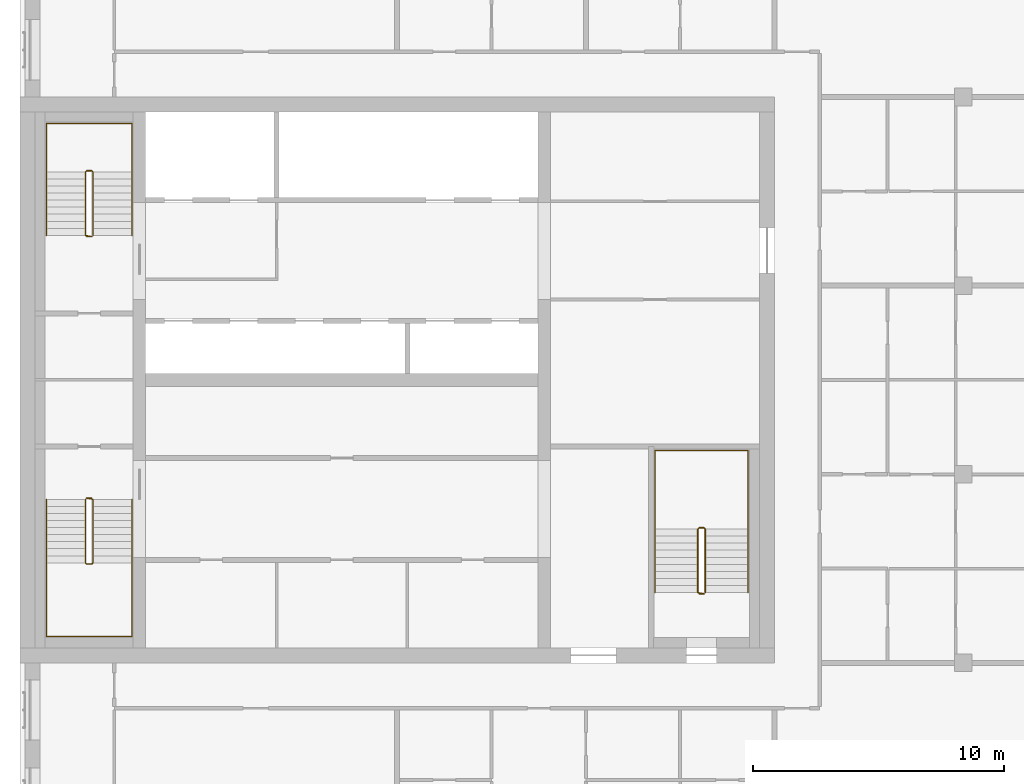
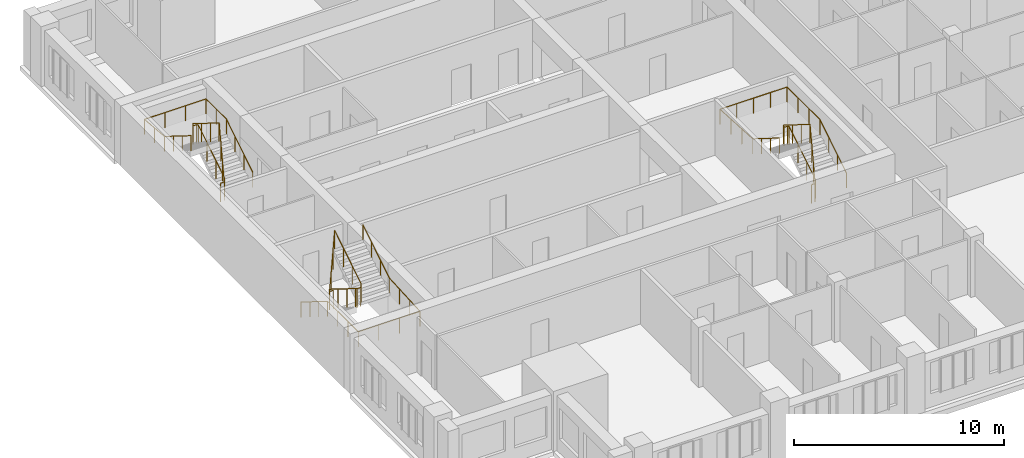
# One storey, part 10 of 10: 6 railings.
"""IFC4 building model written with IfcOpenShell, lengths in metres."""

from ifc_helpers import new_model, si_unit, direction, frame, origin, origin_2d, place, context, subcontext, project, spatial, circle, extrude, material, type_object, element, save


model = new_model("IFC4")

# Units and contexts
model_context = context("Model", 3, precision=1e-05, world=origin(), true_north=direction((0.0, 1.0)))
body_context = subcontext(model_context, "Body", "Model", "MODEL_VIEW")
ifc_project = project(units=[si_unit("LENGTHUNIT", "METRE"), si_unit("AREAUNIT", "SQUARE_METRE"), si_unit("VOLUMEUNIT", "CUBIC_METRE"), si_unit("PLANEANGLEUNIT", "RADIAN"), si_unit("MASSUNIT", "GRAM", prefix="KILO")], contexts=[model_context])

# Site, building, storey
site_placement = place(None, origin())
site = spatial("IfcSite", under=ifc_project, at=site_placement, CompositionType="ELEMENT")
building_placement = place(site_placement, origin())
building = spatial("IfcBuilding", under=site, at=building_placement, Name="Tamorin Gate", CompositionType="ELEMENT")
storey_placement = place(building_placement, frame((0.0, 0.0, 283.699951171875)))
storey = spatial("IfcBuildingStorey", under=building, at=storey_placement, Name="L71", CompositionType="ELEMENT", Elevation=283.699951171875)

# Railings
ifc_material_1 = material(Name="Painted steel balustrade", Category="steel")
railing_type_1 = type_object("IfcRailingType", Name="Stair guard 1100", PredefinedType="GUARDRAIL", material=ifc_material_1)
railing_1_placement = place(storey_placement, frame((32.60009765625, 66.5, 0.175048828125)))
element("IfcRailing", 1, at=railing_1_placement, inside=storey, type_object=railing_type_1, Name="L71 ST1 stair guard 1", PredefinedType="GUARDRAIL", context=body_context, shape_type="SweptSolid", body=[
    extrude(circle(Radius=0.02392578125, at=origin_2d()), frame((0.0, 0.0, 1.076171875), z_axis=(0.0, -0.848007534815, 0.529984170421), x_axis=(1.0, 0.0, 0.0)), (0.0, 0.0, 1.0), 2.9716796875),
    extrude(circle(Radius=0.02392578125, at=origin_2d()), frame((0.0, -2.52001953125, 2.65087890625), z_axis=(0.705375805398, -0.708833529934, 0.0), x_axis=(0.708833529934, 0.705375805398, 0.0)), (0.0, 0.0, 1.0), 0.070556640625),
    extrude(circle(Radius=0.02392578125, at=origin_2d()), frame((0.0498046875, -2.570068359375, 2.65087890625), z_axis=(1.0, 0.0, 0.0), x_axis=(0.0, 1.0, 0.0)), (0.0, 0.0, 1.0), 0.2001953125),
    extrude(circle(Radius=0.02392578125, at=origin_2d()), frame((0.25, -2.570068359375, 2.65087890625), z_axis=(0.263862480399, 0.265155923931, 0.927399011991), x_axis=(-0.708833529934, 0.705375805398, 0.0)), (0.0, 0.0, 1.0), 0.188720703125),
    extrude(circle(Radius=0.02392578125, at=origin_2d()), frame((0.2998046875, -2.52001953125, 2.826171875), z_axis=(0.0, 0.848007534815, 0.529984170421), x_axis=(-1.0, 0.0, 0.0)), (0.0, 0.0, 1.0), 2.9716796875),
    extrude(circle(Radius=0.02392578125, at=origin_2d()), frame((0.2998046875, 0.0, 4.40087890625), z_axis=(-0.071239803756, 0.014261874775, -0.997357252587), x_axis=(-0.196300278283, -0.98054382908, 0.0)), (0.0, 0.0, 1.0), 3.50927734375),
    extrude(circle(Radius=0.02392578125, at=origin_2d()), frame((0.0498046875, 0.050048828125, 0.90087890625), z_axis=(1.0, 0.0, 0.0), x_axis=(0.0, 1.0, 0.0)), (0.0, 0.0, 1.0), 0.2001953125),
    extrude(circle(Radius=0.02099609375, at=origin_2d()), origin(), (0.0, 0.0, 1.0), 1.052001953125),
    extrude(circle(Radius=0.02099609375, at=origin_2d()), frame((0.0, -0.840087890625, 0.52490234375)), (0.0, 0.0, 1.0), 1.052001953125),
    extrude(circle(Radius=0.02099609375, at=origin_2d()), frame((0.0, -1.679931640625, 1.050048828125)), (0.0, 0.0, 1.0), 1.052001953125),
    extrude(circle(Radius=0.02099609375, at=origin_2d()), frame((0.0, -2.52001953125, 1.574951171875)), (0.0, 0.0, 1.0), 1.052001953125),
    extrude(circle(Radius=0.02099609375, at=origin_2d()), frame((0.0498046875, -2.570068359375, 1.574951171875)), (0.0, 0.0, 1.0), 1.052001953125),
    extrude(circle(Radius=0.02099609375, at=origin_2d()), frame((0.25, -2.570068359375, 1.574951171875)), (0.0, 0.0, 1.0), 1.052001953125),
    extrude(circle(Radius=0.02099609375, at=origin_2d()), frame((0.2998046875, -2.52001953125, 1.75)), (0.0, 0.0, 1.0), 1.052001953125),
    extrude(circle(Radius=0.02099609375, at=origin_2d()), frame((0.2998046875, -1.679931640625, 2.27490234375)), (0.0, 0.0, 1.0), 1.052001953125),
    extrude(circle(Radius=0.02099609375, at=origin_2d()), frame((0.2998046875, -0.840087890625, 2.800048828125)), (0.0, 0.0, 1.0), 1.052001953125),
    extrude(circle(Radius=0.02099609375, at=origin_2d()), frame((0.2998046875, 0.0, 3.324951171875)), (0.0, 0.0, 1.0), 1.052001953125),
    extrude(circle(Radius=0.02099609375, at=origin_2d()), frame((0.216552734375, 0.0166015625, 2.158203125)), (0.0, 0.0, 1.0), 1.052001953125),
    extrude(circle(Radius=0.02099609375, at=origin_2d()), frame((0.133056640625, 0.033447265625, 0.99169921875)), (0.0, 0.0, 1.0), 1.052001953125),
    extrude(circle(Radius=0.02099609375, at=origin_2d()), frame((0.0498046875, 0.050048828125, -0.175048828125)), (0.0, 0.0, 1.0), 1.052001953125),
    extrude(circle(Radius=0.02099609375, at=origin_2d()), frame((0.25, 0.050048828125, -0.175048828125)), (0.0, 0.0, 1.0), 1.052001953125),
])
railing_2_placement = place(storey_placement, frame((32.89990234375, 77.0, 0.175048828125)))
element("IfcRailing", 2, at=railing_2_placement, inside=storey, type_object=railing_type_1, Name="L71 ST2 stair guard 1", PredefinedType="GUARDRAIL", context=body_context, shape_type="SweptSolid", body=[
    extrude(circle(Radius=0.02392578125, at=origin_2d()), frame((0.0, 0.0, 1.076171875), z_axis=(0.0, 0.848007534815, 0.529984170421), x_axis=(-1.0, 0.0, 0.0)), (0.0, 0.0, 1.0), 2.9716796875),
    extrude(circle(Radius=0.02392578125, at=origin_2d()), frame((0.0, 2.52001953125, 2.65087890625), z_axis=(-0.705375805398, 0.708833529934, 0.0), x_axis=(-0.708833529934, -0.705375805398, 0.0)), (0.0, 0.0, 1.0), 0.070556640625),
    extrude(circle(Radius=0.02392578125, at=origin_2d()), frame((-0.0498046875, 2.570068359375, 2.65087890625), z_axis=(-1.0, 0.0, 0.0), x_axis=(0.0, -1.0, 0.0)), (0.0, 0.0, 1.0), 0.2001953125),
    extrude(circle(Radius=0.02392578125, at=origin_2d()), frame((-0.25, 2.570068359375, 2.65087890625), z_axis=(-0.263862480399, -0.265155923931, 0.927399011991), x_axis=(0.708833529934, -0.705375805398, 0.0)), (0.0, 0.0, 1.0), 0.188720703125),
    extrude(circle(Radius=0.02392578125, at=origin_2d()), frame((-0.2998046875, 2.52001953125, 2.826171875), z_axis=(0.0, -0.848007534815, 0.529984170421), x_axis=(1.0, 0.0, 0.0)), (0.0, 0.0, 1.0), 2.9716796875),
    extrude(circle(Radius=0.02392578125, at=origin_2d()), frame((-0.2998046875, 0.0, 4.40087890625), z_axis=(0.071239803756, -0.014261874775, -0.997357252587), x_axis=(0.196300278283, 0.98054382908, 0.0)), (0.0, 0.0, 1.0), 3.50927734375),
    extrude(circle(Radius=0.02392578125, at=origin_2d()), frame((-0.0498046875, -0.050048828125, 0.90087890625), z_axis=(-1.0, 0.0, 0.0), x_axis=(0.0, -1.0, 0.0)), (0.0, 0.0, 1.0), 0.2001953125),
    extrude(circle(Radius=0.02099609375, at=origin_2d()), origin(), (0.0, 0.0, 1.0), 1.052001953125),
    extrude(circle(Radius=0.02099609375, at=origin_2d()), frame((0.0, 0.840087890625, 0.52490234375)), (0.0, 0.0, 1.0), 1.052001953125),
    extrude(circle(Radius=0.02099609375, at=origin_2d()), frame((0.0, 1.679931640625, 1.050048828125)), (0.0, 0.0, 1.0), 1.052001953125),
    extrude(circle(Radius=0.02099609375, at=origin_2d()), frame((0.0, 2.52001953125, 1.574951171875)), (0.0, 0.0, 1.0), 1.052001953125),
    extrude(circle(Radius=0.02099609375, at=origin_2d()), frame((-0.0498046875, 2.570068359375, 1.574951171875)), (0.0, 0.0, 1.0), 1.052001953125),
    extrude(circle(Radius=0.02099609375, at=origin_2d()), frame((-0.25, 2.570068359375, 1.574951171875)), (0.0, 0.0, 1.0), 1.052001953125),
    extrude(circle(Radius=0.02099609375, at=origin_2d()), frame((-0.2998046875, 2.52001953125, 1.75)), (0.0, 0.0, 1.0), 1.052001953125),
    extrude(circle(Radius=0.02099609375, at=origin_2d()), frame((-0.2998046875, 1.679931640625, 2.27490234375)), (0.0, 0.0, 1.0), 1.052001953125),
    extrude(circle(Radius=0.02099609375, at=origin_2d()), frame((-0.2998046875, 0.840087890625, 2.800048828125)), (0.0, 0.0, 1.0), 1.052001953125),
    extrude(circle(Radius=0.02099609375, at=origin_2d()), frame((-0.2998046875, 0.0, 3.324951171875)), (0.0, 0.0, 1.0), 1.052001953125),
    extrude(circle(Radius=0.02099609375, at=origin_2d()), frame((-0.216552734375, -0.0166015625, 2.158203125)), (0.0, 0.0, 1.0), 1.052001953125),
    extrude(circle(Radius=0.02099609375, at=origin_2d()), frame((-0.133056640625, -0.033447265625, 0.99169921875)), (0.0, 0.0, 1.0), 1.052001953125),
    extrude(circle(Radius=0.02099609375, at=origin_2d()), frame((-0.0498046875, -0.050048828125, -0.175048828125)), (0.0, 0.0, 1.0), 1.052001953125),
    extrude(circle(Radius=0.02099609375, at=origin_2d()), frame((-0.25, -0.050048828125, -0.175048828125)), (0.0, 0.0, 1.0), 1.052001953125),
])
railing_3_placement = place(storey_placement, frame((57.25, 62.800048828125, 0.175048828125)))
element("IfcRailing", 3, at=railing_3_placement, inside=storey, type_object=railing_type_1, Name="L71 ST3 stair guard 1", PredefinedType="GUARDRAIL", context=body_context, shape_type="SweptSolid", body=[
    extrude(circle(Radius=0.02392578125, at=origin_2d()), frame((0.0, 0.0, 1.076171875), z_axis=(0.0, 0.848007534815, 0.529984170421), x_axis=(-1.0, 0.0, 0.0)), (0.0, 0.0, 1.0), 2.9716796875),
    extrude(circle(Radius=0.02392578125, at=origin_2d()), frame((0.0, 2.52001953125, 2.65087890625), z_axis=(-0.707106781187, 0.707106781187, 0.0), x_axis=(-0.707106781187, -0.707106781187, 0.0)), (0.0, 0.0, 1.0), 0.07080078125),
    extrude(circle(Radius=0.02392578125, at=origin_2d()), frame((-0.050048828125, 2.570068359375, 2.65087890625), z_axis=(-1.0, 0.0, 0.0), x_axis=(0.0, -1.0, 0.0)), (0.0, 0.0, 1.0), 0.199951171875),
    extrude(circle(Radius=0.02392578125, at=origin_2d()), frame((-0.25, 2.570068359375, 2.65087890625), z_axis=(-0.265065253269, -0.265065253269, 0.927081885822), x_axis=(0.707106781187, -0.707106781187, 0.0)), (0.0, 0.0, 1.0), 0.188720703125),
    extrude(circle(Radius=0.02392578125, at=origin_2d()), frame((-0.300048828125, 2.52001953125, 2.826171875), z_axis=(0.0, -0.848007534815, 0.529984170421), x_axis=(1.0, 0.0, 0.0)), (0.0, 0.0, 1.0), 2.9716796875),
    extrude(circle(Radius=0.02392578125, at=origin_2d()), frame((-0.300048828125, 0.0, 4.40087890625), z_axis=(0.071239803756, -0.014261874775, -0.997357252587), x_axis=(0.196300278283, 0.98054382908, 0.0)), (0.0, 0.0, 1.0), 3.50927734375),
    extrude(circle(Radius=0.02392578125, at=origin_2d()), frame((-0.050048828125, -0.050048828125, 0.90087890625), z_axis=(-1.0, 0.0, 0.0), x_axis=(0.0, -1.0, 0.0)), (0.0, 0.0, 1.0), 0.199951171875),
    extrude(circle(Radius=0.02099609375, at=origin_2d()), origin(), (0.0, 0.0, 1.0), 1.052001953125),
    extrude(circle(Radius=0.02099609375, at=origin_2d()), frame((0.0, 0.840087890625, 0.52490234375)), (0.0, 0.0, 1.0), 1.052001953125),
    extrude(circle(Radius=0.02099609375, at=origin_2d()), frame((0.0, 1.679931640625, 1.050048828125)), (0.0, 0.0, 1.0), 1.052001953125),
    extrude(circle(Radius=0.02099609375, at=origin_2d()), frame((0.0, 2.52001953125, 1.574951171875)), (0.0, 0.0, 1.0), 1.052001953125),
    extrude(circle(Radius=0.02099609375, at=origin_2d()), frame((-0.050048828125, 2.570068359375, 1.574951171875)), (0.0, 0.0, 1.0), 1.052001953125),
    extrude(circle(Radius=0.02099609375, at=origin_2d()), frame((-0.25, 2.570068359375, 1.574951171875)), (0.0, 0.0, 1.0), 1.052001953125),
    extrude(circle(Radius=0.02099609375, at=origin_2d()), frame((-0.300048828125, 2.52001953125, 1.75)), (0.0, 0.0, 1.0), 1.052001953125),
    extrude(circle(Radius=0.02099609375, at=origin_2d()), frame((-0.300048828125, 1.679931640625, 2.27490234375)), (0.0, 0.0, 1.0), 1.052001953125),
    extrude(circle(Radius=0.02099609375, at=origin_2d()), frame((-0.300048828125, 0.840087890625, 2.800048828125)), (0.0, 0.0, 1.0), 1.052001953125),
    extrude(circle(Radius=0.02099609375, at=origin_2d()), frame((-0.300048828125, 0.0, 3.324951171875)), (0.0, 0.0, 1.0), 1.052001953125),
    extrude(circle(Radius=0.02099609375, at=origin_2d()), frame((-0.216796875, -0.0166015625, 2.158203125)), (0.0, 0.0, 1.0), 1.052001953125),
    extrude(circle(Radius=0.02099609375, at=origin_2d()), frame((-0.13330078125, -0.033447265625, 0.99169921875)), (0.0, 0.0, 1.0), 1.052001953125),
    extrude(circle(Radius=0.02099609375, at=origin_2d()), frame((-0.050048828125, -0.050048828125, -0.175048828125)), (0.0, 0.0, 1.0), 1.052001953125),
    extrude(circle(Radius=0.02099609375, at=origin_2d()), frame((-0.25, -0.050048828125, -0.175048828125)), (0.0, 0.0, 1.0), 1.052001953125),
])
ifc_material_2 = material(Name="Painted steel handrail", Category="steel")
railing_type_2 = type_object("IfcRailingType", Name="Stair handrail 900", PredefinedType="HANDRAIL", material=ifc_material_2)
railing_4_placement = place(storey_placement, frame((31.050048828125, 66.5, 0.175048828125)))
element("IfcRailing", 4, at=railing_4_placement, inside=storey, type_object=railing_type_2, Name="L71 ST1 stair handrail 1", PredefinedType="HANDRAIL", context=body_context, shape_type="SweptSolid", body=[
    extrude(circle(Radius=0.02392578125, at=origin_2d()), frame((0.0, 0.0, 0.8759765625), z_axis=(0.0, -0.848007534815, 0.529984170421), x_axis=(1.0, 0.0, 0.0)), (0.0, 0.0, 1.0), 2.9716796875),
    extrude(circle(Radius=0.02392578125, at=origin_2d()), frame((0.0, -2.52001953125, 2.45068359375), z_axis=(0.0, -1.0, 0.0), x_axis=(1.0, 0.0, 0.0)), (0.0, 0.0, 1.0), 2.929931640625),
    extrude(circle(Radius=0.02392578125, at=origin_2d()), frame((0.0, -5.449951171875, 2.45068359375), z_axis=(1.0, 0.0, 0.0), x_axis=(0.0, 1.0, 0.0)), (0.0, 0.0, 1.0), 3.39990234375),
    extrude(circle(Radius=0.02392578125, at=origin_2d()), frame((3.39990234375, -5.449951171875, 2.45068359375), z_axis=(0.0, 0.998220029962, 0.0596386769), x_axis=(-1.0, 0.0, 0.0)), (0.0, 0.0, 1.0), 2.93505859375),
    extrude(circle(Radius=0.02392578125, at=origin_2d()), frame((3.39990234375, -2.52001953125, 2.6259765625), z_axis=(0.0, 0.848007534815, 0.529984170421), x_axis=(-1.0, 0.0, 0.0)), (0.0, 0.0, 1.0), 2.9716796875),
    extrude(circle(Radius=0.02099609375, at=origin_2d()), origin(), (0.0, 0.0, 1.0), 0.851806640625),
    extrude(circle(Radius=0.02099609375, at=origin_2d()), frame((0.0, -0.840087890625, 0.52490234375)), (0.0, 0.0, 1.0), 0.851806640625),
    extrude(circle(Radius=0.02099609375, at=origin_2d()), frame((0.0, -1.679931640625, 1.050048828125)), (0.0, 0.0, 1.0), 0.851806640625),
    extrude(circle(Radius=0.02099609375, at=origin_2d()), frame((0.0, -2.52001953125, 1.574951171875)), (0.0, 0.0, 1.0), 0.851806640625),
    extrude(circle(Radius=0.02099609375, at=origin_2d()), frame((0.0, -3.49658203125, 1.574951171875)), (0.0, 0.0, 1.0), 0.851806640625),
    extrude(circle(Radius=0.02099609375, at=origin_2d()), frame((0.0, -4.473388671875, 1.574951171875)), (0.0, 0.0, 1.0), 0.851806640625),
    extrude(circle(Radius=0.02099609375, at=origin_2d()), frame((0.0, -5.449951171875, 1.574951171875)), (0.0, 0.0, 1.0), 0.851806640625),
    extrude(circle(Radius=0.02099609375, at=origin_2d()), frame((1.13330078125, -5.449951171875, 1.574951171875)), (0.0, 0.0, 1.0), 0.851806640625),
    extrude(circle(Radius=0.02099609375, at=origin_2d()), frame((2.2666015625, -5.449951171875, 1.574951171875)), (0.0, 0.0, 1.0), 0.851806640625),
    extrude(circle(Radius=0.02099609375, at=origin_2d()), frame((3.39990234375, -5.449951171875, 1.574951171875)), (0.0, 0.0, 1.0), 0.851806640625),
    extrude(circle(Radius=0.02099609375, at=origin_2d()), frame((3.39990234375, -4.473388671875, 1.63330078125)), (0.0, 0.0, 1.0), 0.851806640625),
    extrude(circle(Radius=0.02099609375, at=origin_2d()), frame((3.39990234375, -3.49658203125, 1.691650390625)), (0.0, 0.0, 1.0), 0.851806640625),
    extrude(circle(Radius=0.02099609375, at=origin_2d()), frame((3.39990234375, -2.52001953125, 1.75)), (0.0, 0.0, 1.0), 0.851806640625),
    extrude(circle(Radius=0.02099609375, at=origin_2d()), frame((3.39990234375, -1.679931640625, 2.27490234375)), (0.0, 0.0, 1.0), 0.851806640625),
    extrude(circle(Radius=0.02099609375, at=origin_2d()), frame((3.39990234375, -0.840087890625, 2.800048828125)), (0.0, 0.0, 1.0), 0.851806640625),
    extrude(circle(Radius=0.02099609375, at=origin_2d()), frame((3.39990234375, 0.0, 3.324951171875)), (0.0, 0.0, 1.0), 0.851806640625),
])
railing_5_placement = place(storey_placement, frame((34.449951171875, 77.0, 0.175048828125)))
element("IfcRailing", 5, at=railing_5_placement, inside=storey, type_object=railing_type_2, Name="L71 ST2 stair handrail 1", PredefinedType="HANDRAIL", context=body_context, shape_type="SweptSolid", body=[
    extrude(circle(Radius=0.02392578125, at=origin_2d()), frame((0.0, 0.0, 0.8759765625), z_axis=(0.0, 0.848007534815, 0.529984170421), x_axis=(-1.0, 0.0, 0.0)), (0.0, 0.0, 1.0), 2.9716796875),
    extrude(circle(Radius=0.02392578125, at=origin_2d()), frame((0.0, 2.52001953125, 2.45068359375), z_axis=(0.0, 1.0, 0.0), x_axis=(-1.0, 0.0, 0.0)), (0.0, 0.0, 1.0), 1.929931640625),
    extrude(circle(Radius=0.02392578125, at=origin_2d()), frame((0.0, 4.449951171875, 2.45068359375), z_axis=(-1.0, 0.0, 0.0), x_axis=(0.0, -1.0, 0.0)), (0.0, 0.0, 1.0), 3.39990234375),
    extrude(circle(Radius=0.02392578125, at=origin_2d()), frame((-3.39990234375, 4.449951171875, 2.45068359375), z_axis=(0.0, -0.995911773435, 0.090331276604), x_axis=(1.0, 0.0, 0.0)), (0.0, 0.0, 1.0), 1.937744140625),
    extrude(circle(Radius=0.02392578125, at=origin_2d()), frame((-3.39990234375, 2.52001953125, 2.6259765625), z_axis=(0.0, -0.848007534815, 0.529984170421), x_axis=(1.0, 0.0, 0.0)), (0.0, 0.0, 1.0), 2.9716796875),
    extrude(circle(Radius=0.02099609375, at=origin_2d()), origin(), (0.0, 0.0, 1.0), 0.851806640625),
    extrude(circle(Radius=0.02099609375, at=origin_2d()), frame((0.0, 0.840087890625, 0.52490234375)), (0.0, 0.0, 1.0), 0.851806640625),
    extrude(circle(Radius=0.02099609375, at=origin_2d()), frame((0.0, 1.679931640625, 1.050048828125)), (0.0, 0.0, 1.0), 0.851806640625),
    extrude(circle(Radius=0.02099609375, at=origin_2d()), frame((0.0, 2.52001953125, 1.574951171875)), (0.0, 0.0, 1.0), 0.851806640625),
    extrude(circle(Radius=0.02099609375, at=origin_2d()), frame((0.0, 3.48486328125, 1.574951171875)), (0.0, 0.0, 1.0), 0.851806640625),
    extrude(circle(Radius=0.02099609375, at=origin_2d()), frame((0.0, 4.449951171875, 1.574951171875)), (0.0, 0.0, 1.0), 0.851806640625),
    extrude(circle(Radius=0.02099609375, at=origin_2d()), frame((-1.13330078125, 4.449951171875, 1.574951171875)), (0.0, 0.0, 1.0), 0.851806640625),
    extrude(circle(Radius=0.02099609375, at=origin_2d()), frame((-2.2666015625, 4.449951171875, 1.574951171875)), (0.0, 0.0, 1.0), 0.851806640625),
    extrude(circle(Radius=0.02099609375, at=origin_2d()), frame((-3.39990234375, 4.449951171875, 1.574951171875)), (0.0, 0.0, 1.0), 0.851806640625),
    extrude(circle(Radius=0.02099609375, at=origin_2d()), frame((-3.39990234375, 3.48486328125, 1.66259765625)), (0.0, 0.0, 1.0), 0.851806640625),
    extrude(circle(Radius=0.02099609375, at=origin_2d()), frame((-3.39990234375, 2.52001953125, 1.75)), (0.0, 0.0, 1.0), 0.851806640625),
    extrude(circle(Radius=0.02099609375, at=origin_2d()), frame((-3.39990234375, 1.679931640625, 2.27490234375)), (0.0, 0.0, 1.0), 0.851806640625),
    extrude(circle(Radius=0.02099609375, at=origin_2d()), frame((-3.39990234375, 0.840087890625, 2.800048828125)), (0.0, 0.0, 1.0), 0.851806640625),
    extrude(circle(Radius=0.02099609375, at=origin_2d()), frame((-3.39990234375, 0.0, 3.324951171875)), (0.0, 0.0, 1.0), 0.851806640625),
])
railing_6_placement = place(storey_placement, frame((58.949951171875, 62.800048828125, 0.175048828125)))
element("IfcRailing", 6, at=railing_6_placement, inside=storey, type_object=railing_type_2, Name="L71 ST3 stair handrail 1", PredefinedType="HANDRAIL", context=body_context, shape_type="SweptSolid", body=[
    extrude(circle(Radius=0.02392578125, at=origin_2d()), frame((0.0, 0.0, 0.8759765625), z_axis=(0.0, 0.848007534815, 0.529984170421), x_axis=(-1.0, 0.0, 0.0)), (0.0, 0.0, 1.0), 2.9716796875),
    extrude(circle(Radius=0.02392578125, at=origin_2d()), frame((0.0, 2.52001953125, 2.45068359375), z_axis=(0.0, 1.0, 0.0), x_axis=(-1.0, 0.0, 0.0)), (0.0, 0.0, 1.0), 3.1298828125),
    extrude(circle(Radius=0.02392578125, at=origin_2d()), frame((0.0, 5.64990234375, 2.45068359375), z_axis=(-1.0, 0.0, 0.0), x_axis=(0.0, -1.0, 0.0)), (0.0, 0.0, 1.0), 3.699951171875),
    extrude(circle(Radius=0.02392578125, at=origin_2d()), frame((-3.699951171875, 5.64990234375, 2.45068359375), z_axis=(0.0, -0.998439675676, 0.055840970941), x_axis=(1.0, 0.0, 0.0)), (0.0, 0.0, 1.0), 3.134765625),
    extrude(circle(Radius=0.02392578125, at=origin_2d()), frame((-3.699951171875, 2.52001953125, 2.6259765625), z_axis=(0.0, -0.848007534815, 0.529984170421), x_axis=(1.0, 0.0, 0.0)), (0.0, 0.0, 1.0), 2.9716796875),
    extrude(circle(Radius=0.02099609375, at=origin_2d()), origin(), (0.0, 0.0, 1.0), 0.851806640625),
    extrude(circle(Radius=0.02099609375, at=origin_2d()), frame((0.0, 0.840087890625, 0.52490234375)), (0.0, 0.0, 1.0), 0.851806640625),
    extrude(circle(Radius=0.02099609375, at=origin_2d()), frame((0.0, 1.679931640625, 1.050048828125)), (0.0, 0.0, 1.0), 0.851806640625),
    extrude(circle(Radius=0.02099609375, at=origin_2d()), frame((0.0, 2.52001953125, 1.574951171875)), (0.0, 0.0, 1.0), 0.851806640625),
    extrude(circle(Radius=0.02099609375, at=origin_2d()), frame((0.0, 3.563232421875, 1.574951171875)), (0.0, 0.0, 1.0), 0.851806640625),
    extrude(circle(Radius=0.02099609375, at=origin_2d()), frame((0.0, 4.606689453125, 1.574951171875)), (0.0, 0.0, 1.0), 0.851806640625),
    extrude(circle(Radius=0.02099609375, at=origin_2d()), frame((0.0, 5.64990234375, 1.574951171875)), (0.0, 0.0, 1.0), 0.851806640625),
    extrude(circle(Radius=0.02099609375, at=origin_2d()), frame((-0.925048828125, 5.64990234375, 1.574951171875)), (0.0, 0.0, 1.0), 0.851806640625),
    extrude(circle(Radius=0.02099609375, at=origin_2d()), frame((-1.85009765625, 5.64990234375, 1.574951171875)), (0.0, 0.0, 1.0), 0.851806640625),
    extrude(circle(Radius=0.02099609375, at=origin_2d()), frame((-2.77490234375, 5.64990234375, 1.574951171875)), (0.0, 0.0, 1.0), 0.851806640625),
    extrude(circle(Radius=0.02099609375, at=origin_2d()), frame((-3.699951171875, 5.64990234375, 1.574951171875)), (0.0, 0.0, 1.0), 0.851806640625),
    extrude(circle(Radius=0.02099609375, at=origin_2d()), frame((-3.699951171875, 4.606689453125, 1.63330078125)), (0.0, 0.0, 1.0), 0.851806640625),
    extrude(circle(Radius=0.02099609375, at=origin_2d()), frame((-3.699951171875, 3.563232421875, 1.691650390625)), (0.0, 0.0, 1.0), 0.851806640625),
    extrude(circle(Radius=0.02099609375, at=origin_2d()), frame((-3.699951171875, 2.52001953125, 1.75)), (0.0, 0.0, 1.0), 0.851806640625),
    extrude(circle(Radius=0.02099609375, at=origin_2d()), frame((-3.699951171875, 1.679931640625, 2.27490234375)), (0.0, 0.0, 1.0), 0.851806640625),
    extrude(circle(Radius=0.02099609375, at=origin_2d()), frame((-3.699951171875, 0.840087890625, 2.800048828125)), (0.0, 0.0, 1.0), 0.851806640625),
    extrude(circle(Radius=0.02099609375, at=origin_2d()), frame((-3.699951171875, 0.0, 3.324951171875)), (0.0, 0.0, 1.0), 0.851806640625),
])

save(model, "model.ifc")
